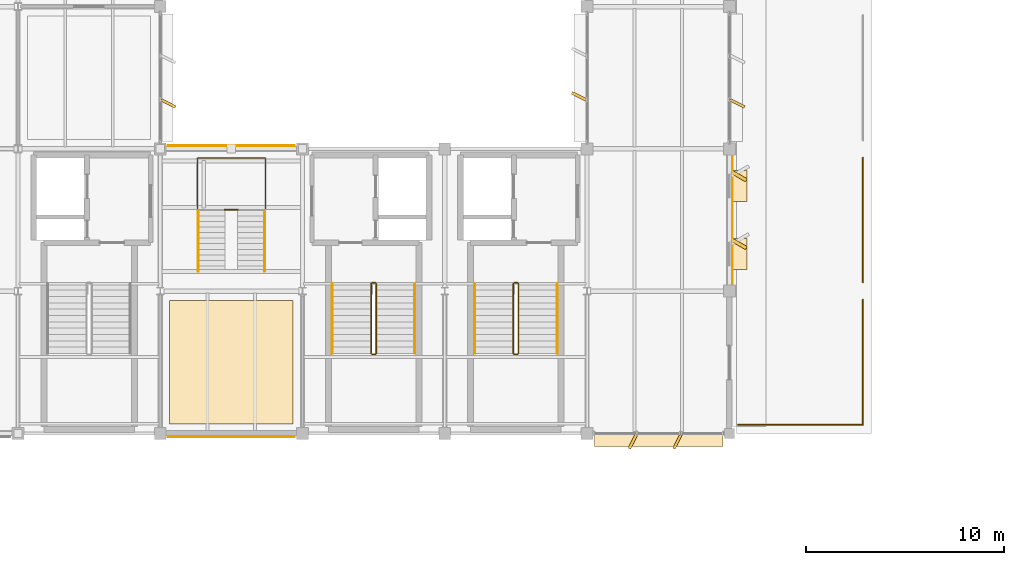
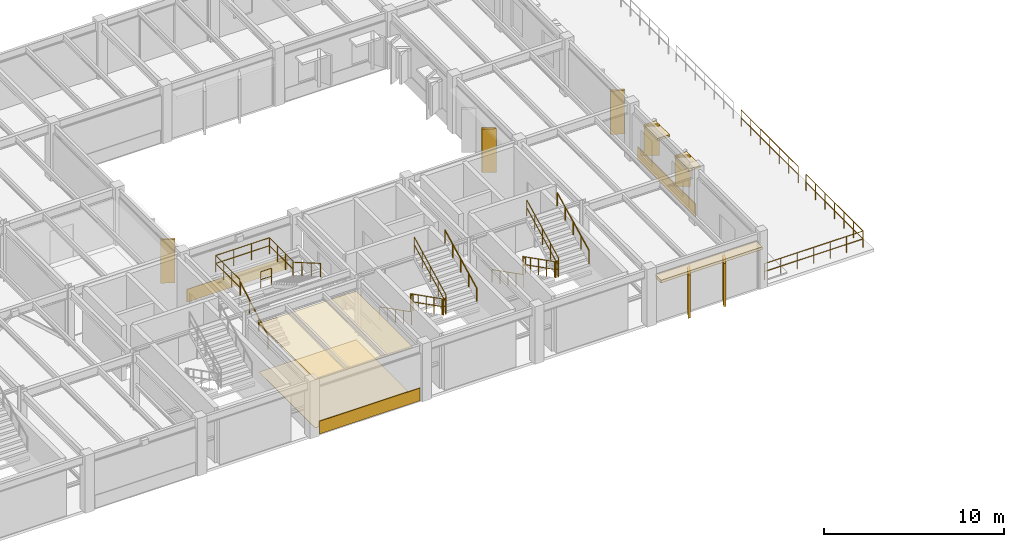
# One storey, part 33 of 35: 19 railings, 15 coverings.
"""IFC4 building model written with IfcOpenShell, lengths in metres."""

from ifc_helpers import new_model, si_unit, direction, frame, frame_2d, origin, origin_2d, place, context, subcontext, project, spatial, polyline, rectangle, circle, outline, extrude, material, layer, layer_set, type_object, element, save


model = new_model("IFC4")

# Units and contexts
model_context = context("Model", 3, precision=1e-05, world=origin(), true_north=direction((0.0, 1.0)))
body_context = subcontext(model_context, "Body", "Model", "MODEL_VIEW")
ifc_project = project(units=[si_unit("LENGTHUNIT", "METRE"), si_unit("AREAUNIT", "SQUARE_METRE"), si_unit("VOLUMEUNIT", "CUBIC_METRE"), si_unit("PLANEANGLEUNIT", "RADIAN"), si_unit("MASSUNIT", "GRAM", prefix="KILO")], contexts=[model_context])

# Site, building, storey
site_placement = place(None, origin())
site = spatial("IfcSite", under=ifc_project, at=site_placement, CompositionType="ELEMENT")
building_placement = place(site_placement, origin())
building = spatial("IfcBuilding", under=site, at=building_placement, Name="Sillqori Civic Hall", CompositionType="ELEMENT")
storey_placement = place(building_placement, frame((0.0, 0.0, 18.0)))
storey = spatial("IfcBuildingStorey", under=building, at=storey_placement, Name="L05", CompositionType="ELEMENT", Elevation=18.0)

# Coverings
ifc_material_1 = material(Name="Andean Cedar Deep Baffle 58", Category="timber")
ifc_layer_1 = layer(ifc_material_1, 0.05810546875)
ifc_layer_set_1 = layer_set([ifc_layer_1], Name="Andean Cedar Deep Baffle 58")
covering_type_1 = type_object("IfcCoveringType", Name="COV-CEIL-T58", PredefinedType="CEILING", material=ifc_layer_set_1)
covering_1_placement = place(storey_placement, frame((0.0, 0.0, 3.26806640625)))
element("IfcCovering", 1, at=covering_1_placement, inside=storey, type_object=covering_type_1, Name="Culture and Heritage Programme Directorate acoustic ceiling", PredefinedType="CEILING", context=body_context, shape_type="SweptSolid", body=[
    extrude(outline(polyline([(72.47998046875, 79.679931640625), (78.719970703125, 79.679931640625), (78.719970703125, 85.919921875), (72.47998046875, 85.919921875), (72.47998046875, 79.679931640625)])), origin(), (0.0, 0.0, 1.0), 0.057861328125),
])
ifc_material_2 = material(Name="Cochabamba Honed Limestone Cladding", Category="masonry")
ifc_layer_2 = layer(ifc_material_2, 0.044921875)
ifc_layer_set_2 = layer_set([ifc_layer_2], Name="Cochabamba Honed Limestone Cladding")
covering_type_2 = type_object("IfcCoveringType", Name="COV-CLAD-LIME", PredefinedType="CLADDING", material=ifc_layer_set_2)
covering_2_placement = place(storey_placement, frame((72.050048828125, 96.077880859375, 0.06005859375), z_axis=(0.0, 0.0, 1.0), x_axis=(0.894487846579, -0.44709226377, 0.0)))
element("IfcCovering", 2, at=covering_2_placement, inside=storey, type_object=covering_type_2, Name="L05 curtain-wall angled stone fin L05-09-13-E.2", PredefinedType="CLADDING", context=body_context, shape_type="SweptSolid", body=[
    extrude(rectangle(XDim=0.804931640625, YDim=0.139892578125, at=frame_2d((0.40234375, 0.0))), origin(), (0.0, 0.0, 1.0), 2.951904296875),
])
for number, where, z_axis, x_axis, name in (
    (3, (78.820068359375, 79.0400390625, 0.0400390625), (0.0, 0.0, 1.0), (-1.0, 0.0, 0.0), "L05 limestone spandrel cladding L05-10-11-S"),
    (4, (72.3798828125, 93.760009765625, 0.0400390625), (0.0, 0.0, 1.0), (1.0, 0.0, 0.0), "L05 limestone spandrel cladding L05-10-12-N"),
):
    element("IfcCovering", number, at=place(storey_placement, frame(where, z_axis=z_axis, x_axis=x_axis)), inside=storey, type_object=covering_type_2, Name=name, PredefinedType="CLADDING", context=body_context, shape_type="SweptSolid", body=[
        extrude(rectangle(XDim=6.440185546875, YDim=0.044921875, at=frame_2d((3.22021484375, 0.0))), origin(), (0.0, 0.0, 1.0), 0.85986328125),
    ])
covering_3_placement = place(storey_placement, frame((100.469970703125, 78.8798828125, 2.991943359375), z_axis=(0.0, 0.0, 1.0), x_axis=(-1.0, 0.0, 0.0)))
element("IfcCovering", 5, at=covering_3_placement, inside=storey, type_object=covering_type_2, Name="L05 curtain-wall limestone solar hood L05-13-11-S", PredefinedType="CLADDING", context=body_context, shape_type="SweptSolid", body=[
    extrude(rectangle(XDim=6.489990234375, YDim=0.679931640625, at=frame_2d((3.2451171875, 0.0))), origin(), (0.0, 0.0, 1.0), 0.18017578125),
])
for number, where, z_axis, x_axis, name in (
    (6, (98.35546875, 79.14990234375, 0.06005859375), (0.0, 0.0, 1.0), (-0.44709226377, -0.894487846579, 0.0), "L05 curtain-wall angled stone fin L05-13-11-S.1"),
    (7, (96.094482421875, 79.14990234375, 0.06005859375), (0.0, 0.0, 1.0), (-0.44709226377, -0.894487846579, 0.0), "L05 curtain-wall angled stone fin L05-13-11-S.2"),
):
    element("IfcCovering", number, at=place(storey_placement, frame(where, z_axis=z_axis, x_axis=x_axis)), inside=storey, type_object=covering_type_2, Name=name, PredefinedType="CLADDING", context=body_context, shape_type="SweptSolid", body=[
        extrude(rectangle(XDim=0.804931640625, YDim=0.139892578125, at=frame_2d((0.40234375, 0.0))), origin(), (0.0, 0.0, 1.0), 2.931884765625),
    ])
covering_4_placement = place(storey_placement, frame((100.9599609375, 93.219970703125, 0.0400390625), z_axis=(0.0, 0.0, 1.0), x_axis=(0.0, -1.0, 0.0)))
element("IfcCovering", 8, at=covering_4_placement, inside=storey, type_object=covering_type_2, Name="L05 limestone spandrel cladding L05-13-12-E", PredefinedType="CLADDING", context=body_context, shape_type="SweptSolid", body=[
    extrude(rectangle(XDim=6.43994140625, YDim=0.044921875, at=frame_2d((3.219970703125, 0.0))), origin(), (0.0, 0.0, 1.0), 0.85986328125),
])
covering_5_placement = place(storey_placement, frame((100.919921875, 92.43603515625, 0.830078125), z_axis=(0.0, 0.0, 1.0), x_axis=(0.865989465428, -0.500062241894, 0.0)))
element("IfcCovering", 9, at=covering_5_placement, inside=storey, type_object=covering_type_2, Name="Sawtooth limestone angled reveal cheek L05-13-12-E.1", PredefinedType="CLADDING", context=body_context, shape_type="SweptSolid", body=[
    extrude(rectangle(XDim=0.85009765625, YDim=0.179931640625, at=frame_2d((0.425048828125, 0.0))), origin(), (0.0, 0.0, 1.0), 2.0),
])
covering_6_placement = place(storey_placement, frame((101.300048828125, 92.49609375, 2.68994140625), z_axis=(0.0, 0.0, 1.0), x_axis=(0.0, -1.0, 0.0)))
element("IfcCovering", 10, at=covering_6_placement, inside=storey, type_object=covering_type_2, Name="Sawtooth limestone window hood L05-13-12-E.1", PredefinedType="CLADDING", context=body_context, shape_type="SweptSolid", body=[
    extrude(rectangle(XDim=1.56005859375, YDim=0.780029296875, at=frame_2d((0.780029296875, 0.0))), origin(), (0.0, 0.0, 1.0), 0.14013671875),
])
covering_7_placement = place(storey_placement, frame((100.919921875, 89.00390625, 0.830078125), z_axis=(0.0, 0.0, 1.0), x_axis=(0.866113839764, -0.499846793097, 0.0)))
element("IfcCovering", 11, at=covering_7_placement, inside=storey, type_object=covering_type_2, Name="Sawtooth limestone angled reveal cheek L05-13-12-E.2", PredefinedType="CLADDING", context=body_context, shape_type="SweptSolid", body=[
    extrude(rectangle(XDim=0.849853515625, YDim=0.179931640625, at=frame_2d((0.4248046875, 0.0))), origin(), (0.0, 0.0, 1.0), 2.0),
])
covering_8_placement = place(storey_placement, frame((101.300048828125, 89.06396484375, 2.68994140625), z_axis=(0.0, 0.0, 1.0), x_axis=(0.0, -1.0, 0.0)))
element("IfcCovering", 12, at=covering_8_placement, inside=storey, type_object=covering_type_2, Name="Sawtooth limestone window hood L05-13-12-E.2", PredefinedType="CLADDING", context=body_context, shape_type="SweptSolid", body=[
    extrude(rectangle(XDim=1.56005859375, YDim=0.780029296875, at=frame_2d((0.780029296875, 0.0))), origin(), (0.0, 0.0, 1.0), 0.14013671875),
])
for number, where, z_axis, x_axis, name in (
    (13, (93.550048828125, 96.077880859375, 0.06005859375), (0.0, 0.0, 1.0), (-0.894366527193, 0.447334902547, 0.0), "L05 curtain-wall angled stone fin L05-13-13-W.1"),
    (14, (100.85009765625, 96.077880859375, 0.06005859375), (0.0, 0.0, 1.0), (0.894487846579, -0.44709226377, 0.0), "L05 curtain-wall angled stone fin L05-13-13-E.2"),
):
    element("IfcCovering", number, at=place(storey_placement, frame(where, z_axis=z_axis, x_axis=x_axis)), inside=storey, type_object=covering_type_2, Name=name, PredefinedType="CLADDING", context=body_context, shape_type="SweptSolid", body=[
        extrude(rectangle(XDim=0.804931640625, YDim=0.139892578125, at=frame_2d((0.40234375, 0.0))), origin(), (0.0, 0.0, 1.0), 2.951904296875),
    ])
ifc_material_3 = material(Name="Tajibo Parquet Strip Flooring 22", Category="timber")
ifc_layer_3 = layer(ifc_material_3, 0.02197265625)
ifc_layer_set_3 = layer_set([ifc_layer_3], Name="Tajibo Parquet Strip Flooring 22")
covering_type_3 = type_object("IfcCoveringType", Name="COV-FLR-T22", PredefinedType="FLOORING", material=ifc_layer_set_3)
covering_9_placement = place(storey_placement, origin())
element("IfcCovering", 15, at=covering_9_placement, inside=storey, type_object=covering_type_3, Name="Culture and Heritage Programme Directorate floor finish", PredefinedType="FLOORING", context=body_context, shape_type="SweptSolid", body=[
    extrude(outline(polyline([(72.47998046875, 79.679931640625), (78.719970703125, 79.679931640625), (78.719970703125, 85.919921875), (72.47998046875, 85.919921875), (72.47998046875, 79.679931640625)])), origin(), (0.0, 0.0, 1.0), 0.02197265625),
])

# Railings
ifc_material_4 = material(Name="Brushed Stainless Steel 316 Handrail", Category="steel")
ifc_layer_4 = layer(ifc_material_4, 0.044921875)
ifc_layer_set_4 = layer_set([ifc_layer_4], Name="Brushed Stainless Steel 316 Handrail")
railing_type_1 = type_object("IfcRailingType", Name="RLG-CORE-092", PredefinedType="HANDRAIL", material=ifc_layer_set_4)
railing_1_placement = place(storey_placement, frame((80.7099609375, 86.77001953125, 0.16259765625)))
element("IfcRailing", 16, at=railing_1_placement, inside=storey, type_object=railing_type_1, Name="L05 ST-07 stair handrail 1", PredefinedType="HANDRAIL", context=body_context, shape_type="SweptSolid", body=[
    extrude(circle(Radius=0.02392578125, at=origin_2d()), frame((0.0, 0.0, 0.8759765625), z_axis=(0.0, -0.891639500788, 0.452746066394), x_axis=(1.0, 0.0, 0.0)), (0.0, 0.0, 1.0), 3.94775390625),
    extrude(circle(Radius=0.02099609375, at=origin_2d()), origin(), (0.0, 0.0, 1.0), 0.851806640625),
    extrude(circle(Radius=0.02099609375, at=origin_2d()), frame((0.0, -0.8798828125, 0.44677734375)), (0.0, 0.0, 1.0), 0.851806640625),
    extrude(circle(Radius=0.02099609375, at=origin_2d()), frame((0.0, -1.760009765625, 0.8935546875)), (0.0, 0.0, 1.0), 0.851806640625),
    extrude(circle(Radius=0.02099609375, at=origin_2d()), frame((0.0, -2.64013671875, 1.340576171875)), (0.0, 0.0, 1.0), 0.851806640625),
    extrude(circle(Radius=0.02099609375, at=origin_2d()), frame((0.0, -3.52001953125, 1.787353515625)), (0.0, 0.0, 1.0), 0.851806640625),
])
railing_2_placement = place(storey_placement, frame((84.889892578125, 83.25, 2.112548828125)))
element("IfcRailing", 17, at=railing_2_placement, inside=storey, type_object=railing_type_1, Name="L05 ST-07 stair handrail 2", PredefinedType="HANDRAIL", context=body_context, shape_type="SweptSolid", body=[
    extrude(circle(Radius=0.02392578125, at=origin_2d()), frame((0.0, 0.0, 0.8759765625), z_axis=(0.0, 0.891639500788, 0.452746066394), x_axis=(-1.0, 0.0, 0.0)), (0.0, 0.0, 1.0), 3.94775390625),
    extrude(circle(Radius=0.02099609375, at=origin_2d()), origin(), (0.0, 0.0, 1.0), 0.851806640625),
    extrude(circle(Radius=0.02099609375, at=origin_2d()), frame((0.0, 0.8798828125, 0.44677734375)), (0.0, 0.0, 1.0), 0.851806640625),
    extrude(circle(Radius=0.02099609375, at=origin_2d()), frame((0.0, 1.760009765625, 0.8935546875)), (0.0, 0.0, 1.0), 0.851806640625),
    extrude(circle(Radius=0.02099609375, at=origin_2d()), frame((0.0, 2.64013671875, 1.340576171875)), (0.0, 0.0, 1.0), 0.851806640625),
    extrude(circle(Radius=0.02099609375, at=origin_2d()), frame((0.0, 3.52001953125, 1.787353515625)), (0.0, 0.0, 1.0), 0.851806640625),
])
railing_3_placement = place(storey_placement, frame((87.909912109375, 86.77001953125, 0.16259765625)))
element("IfcRailing", 18, at=railing_3_placement, inside=storey, type_object=railing_type_1, Name="L05 ST-08 stair handrail 1", PredefinedType="HANDRAIL", context=body_context, shape_type="SweptSolid", body=[
    extrude(circle(Radius=0.02392578125, at=origin_2d()), frame((0.0, 0.0, 0.8759765625), z_axis=(0.0, -0.891639500788, 0.452746066394), x_axis=(1.0, 0.0, 0.0)), (0.0, 0.0, 1.0), 3.94775390625),
    extrude(circle(Radius=0.02099609375, at=origin_2d()), origin(), (0.0, 0.0, 1.0), 0.851806640625),
    extrude(circle(Radius=0.02099609375, at=origin_2d()), frame((0.0, -0.8798828125, 0.44677734375)), (0.0, 0.0, 1.0), 0.851806640625),
    extrude(circle(Radius=0.02099609375, at=origin_2d()), frame((0.0, -1.760009765625, 0.8935546875)), (0.0, 0.0, 1.0), 0.851806640625),
    extrude(circle(Radius=0.02099609375, at=origin_2d()), frame((0.0, -2.64013671875, 1.340576171875)), (0.0, 0.0, 1.0), 0.851806640625),
    extrude(circle(Radius=0.02099609375, at=origin_2d()), frame((0.0, -3.52001953125, 1.787353515625)), (0.0, 0.0, 1.0), 0.851806640625),
])
railing_4_placement = place(storey_placement, frame((92.090087890625, 83.25, 2.112548828125)))
element("IfcRailing", 19, at=railing_4_placement, inside=storey, type_object=railing_type_1, Name="L05 ST-08 stair handrail 2", PredefinedType="HANDRAIL", context=body_context, shape_type="SweptSolid", body=[
    extrude(circle(Radius=0.02392578125, at=origin_2d()), frame((0.0, 0.0, 0.8759765625), z_axis=(0.0, 0.891639500788, 0.452746066394), x_axis=(-1.0, 0.0, 0.0)), (0.0, 0.0, 1.0), 3.94775390625),
    extrude(circle(Radius=0.02099609375, at=origin_2d()), origin(), (0.0, 0.0, 1.0), 0.851806640625),
    extrude(circle(Radius=0.02099609375, at=origin_2d()), frame((0.0, 0.8798828125, 0.44677734375)), (0.0, 0.0, 1.0), 0.851806640625),
    extrude(circle(Radius=0.02099609375, at=origin_2d()), frame((0.0, 1.760009765625, 0.8935546875)), (0.0, 0.0, 1.0), 0.851806640625),
    extrude(circle(Radius=0.02099609375, at=origin_2d()), frame((0.0, 2.64013671875, 1.340576171875)), (0.0, 0.0, 1.0), 0.851806640625),
    extrude(circle(Radius=0.02099609375, at=origin_2d()), frame((0.0, 3.52001953125, 1.787353515625)), (0.0, 0.0, 1.0), 0.851806640625),
])
railing_5_placement = place(storey_placement, frame((73.919921875, 87.39990234375, 0.16259765625)))
element("IfcRailing", 20, at=railing_5_placement, inside=storey, type_object=railing_type_1, Name="Mayoral Courtyard Stair L05-L06 handrail W", PredefinedType="HANDRAIL", context=body_context, shape_type="SweptSolid", body=[
    extrude(circle(Radius=0.02392578125, at=origin_2d()), frame((0.0, 0.0, 0.89599609375), z_axis=(0.0, 0.864920483161, 0.501908913857), x_axis=(-1.0, 0.0, 0.0)), (0.0, 0.0, 1.0), 3.56103515625),
    extrude(circle(Radius=0.02099609375, at=origin_2d()), origin(), (0.0, 0.0, 1.0), 0.871826171875),
    extrude(circle(Radius=0.02099609375, at=origin_2d()), frame((0.0, 1.026611328125, 0.595703125)), (0.0, 0.0, 1.0), 0.871826171875),
    extrude(circle(Radius=0.02099609375, at=origin_2d()), frame((0.0, 2.053466796875, 1.191650390625)), (0.0, 0.0, 1.0), 0.871826171875),
    extrude(circle(Radius=0.02099609375, at=origin_2d()), frame((0.0, 3.080078125, 1.787353515625)), (0.0, 0.0, 1.0), 0.871826171875),
])
railing_6_placement = place(storey_placement, frame((77.280029296875, 90.47998046875, 2.112548828125)))
element("IfcRailing", 21, at=railing_6_placement, inside=storey, type_object=railing_type_1, Name="Mayoral Courtyard Stair L05-L06 handrail E", PredefinedType="HANDRAIL", context=body_context, shape_type="SweptSolid", body=[
    extrude(circle(Radius=0.02392578125, at=origin_2d()), frame((0.0, 0.0, 0.89599609375), z_axis=(0.0, -0.864920483161, 0.501908913857), x_axis=(1.0, 0.0, 0.0)), (0.0, 0.0, 1.0), 3.56103515625),
    extrude(circle(Radius=0.02099609375, at=origin_2d()), origin(), (0.0, 0.0, 1.0), 0.871826171875),
    extrude(circle(Radius=0.02099609375, at=origin_2d()), frame((0.0, -1.026611328125, 0.595703125)), (0.0, 0.0, 1.0), 0.871826171875),
    extrude(circle(Radius=0.02099609375, at=origin_2d()), frame((0.0, -2.053466796875, 1.191650390625)), (0.0, 0.0, 1.0), 0.871826171875),
    extrude(circle(Radius=0.02099609375, at=origin_2d()), frame((0.0, -3.080078125, 1.787353515625)), (0.0, 0.0, 1.0), 0.871826171875),
])
ifc_material_5 = material(Name="Galvanized Painted Steel Guardrail", Category="steel")
ifc_layer_5 = layer(ifc_material_5, 0.050048828125)
ifc_layer_set_5 = layer_set([ifc_layer_5], Name="Galvanized Painted Steel Guardrail")
railing_type_2 = type_object("IfcRailingType", Name="RLG-CORE-110", PredefinedType="GUARDRAIL", material=ifc_layer_set_5)
railing_7_placement = place(storey_placement, frame((82.669921875, 86.77001953125, 0.16259765625)))
element("IfcRailing", 22, at=railing_7_placement, inside=storey, type_object=railing_type_2, Name="L05 ST-07 stair guard 1", PredefinedType="GUARDRAIL", context=body_context, shape_type="SweptSolid", body=[
    extrude(circle(Radius=0.02392578125, at=origin_2d()), frame((0.0, 0.0, 1.076171875), z_axis=(0.0, -0.891639500788, 0.452746066394), x_axis=(1.0, 0.0, 0.0)), (0.0, 0.0, 1.0), 3.94775390625),
    extrude(circle(Radius=0.02392578125, at=origin_2d()), frame((0.0, 0.0, 0.550048828125), z_axis=(0.0, -0.891639500788, 0.452746066394), x_axis=(1.0, 0.0, 0.0)), (0.0, 0.0, 1.0), 3.94775390625),
    extrude(circle(Radius=0.02099609375, at=origin_2d()), origin(), (0.0, 0.0, 1.0), 1.052001953125),
    extrude(circle(Radius=0.02099609375, at=origin_2d()), frame((0.0, -0.8798828125, 0.44677734375)), (0.0, 0.0, 1.0), 1.052001953125),
    extrude(circle(Radius=0.02099609375, at=origin_2d()), frame((0.0, -1.760009765625, 0.8935546875)), (0.0, 0.0, 1.0), 1.052001953125),
    extrude(circle(Radius=0.02099609375, at=origin_2d()), frame((0.0, -2.64013671875, 1.340576171875)), (0.0, 0.0, 1.0), 1.052001953125),
    extrude(circle(Radius=0.02099609375, at=origin_2d()), frame((0.0, -3.52001953125, 1.787353515625)), (0.0, 0.0, 1.0), 1.052001953125),
])
railing_8_placement = place(storey_placement, frame((82.719970703125, 83.199951171875, 1.949951171875)))
element("IfcRailing", 23, at=railing_8_placement, inside=storey, type_object=railing_type_2, Name="L05 ST-07 stair guard 2", PredefinedType="GUARDRAIL", context=body_context, shape_type="SweptSolid", body=[
    extrude(circle(Radius=0.02392578125, at=origin_2d()), frame((0.0, 0.0, 1.076171875), z_axis=(1.0, 0.0, 0.0), x_axis=(0.0, 1.0, 0.0)), (0.0, 0.0, 1.0), 0.159912109375),
    extrude(circle(Radius=0.02392578125, at=origin_2d()), frame((0.0, 0.0, 0.550048828125), z_axis=(1.0, 0.0, 0.0), x_axis=(0.0, 1.0, 0.0)), (0.0, 0.0, 1.0), 0.159912109375),
    extrude(circle(Radius=0.02099609375, at=origin_2d()), origin(), (0.0, 0.0, 1.0), 1.052001953125),
    extrude(circle(Radius=0.02099609375, at=origin_2d()), frame((0.159912109375, 0.0, 0.0)), (0.0, 0.0, 1.0), 1.052001953125),
])
railing_9_placement = place(storey_placement, frame((82.929931640625, 83.25, 2.112548828125)))
element("IfcRailing", 24, at=railing_9_placement, inside=storey, type_object=railing_type_2, Name="L05 ST-07 stair guard 3", PredefinedType="GUARDRAIL", context=body_context, shape_type="SweptSolid", body=[
    extrude(circle(Radius=0.02392578125, at=origin_2d()), frame((0.0, 0.0, 1.076171875), z_axis=(0.0, 0.891639500788, 0.452746066394), x_axis=(-1.0, 0.0, 0.0)), (0.0, 0.0, 1.0), 3.94775390625),
    extrude(circle(Radius=0.02392578125, at=origin_2d()), frame((0.0, 0.0, 0.550048828125), z_axis=(0.0, 0.891639500788, 0.452746066394), x_axis=(-1.0, 0.0, 0.0)), (0.0, 0.0, 1.0), 3.94775390625),
    extrude(circle(Radius=0.02099609375, at=origin_2d()), origin(), (0.0, 0.0, 1.0), 1.052001953125),
    extrude(circle(Radius=0.02099609375, at=origin_2d()), frame((0.0, 0.8798828125, 0.44677734375)), (0.0, 0.0, 1.0), 1.052001953125),
    extrude(circle(Radius=0.02099609375, at=origin_2d()), frame((0.0, 1.760009765625, 0.8935546875)), (0.0, 0.0, 1.0), 1.052001953125),
    extrude(circle(Radius=0.02099609375, at=origin_2d()), frame((0.0, 2.64013671875, 1.340576171875)), (0.0, 0.0, 1.0), 1.052001953125),
    extrude(circle(Radius=0.02099609375, at=origin_2d()), frame((0.0, 3.52001953125, 1.787353515625)), (0.0, 0.0, 1.0), 1.052001953125),
])
railing_10_placement = place(storey_placement, frame((82.719970703125, 86.820068359375, 0.0)))
element("IfcRailing", 25, at=railing_10_placement, inside=storey, type_object=railing_type_2, Name="L05 ST-07 stair guard 4", PredefinedType="GUARDRAIL", context=body_context, shape_type="SweptSolid", body=[
    extrude(circle(Radius=0.02392578125, at=origin_2d()), frame((0.0, 0.0, 1.076171875), z_axis=(1.0, 0.0, 0.0), x_axis=(0.0, 1.0, 0.0)), (0.0, 0.0, 1.0), 0.159912109375),
    extrude(circle(Radius=0.02392578125, at=origin_2d()), frame((0.0, 0.0, 0.550048828125), z_axis=(1.0, 0.0, 0.0), x_axis=(0.0, 1.0, 0.0)), (0.0, 0.0, 1.0), 0.159912109375),
    extrude(circle(Radius=0.02099609375, at=origin_2d()), origin(), (0.0, 0.0, 1.0), 1.052001953125),
    extrude(circle(Radius=0.02099609375, at=origin_2d()), frame((0.159912109375, 0.0, 0.0)), (0.0, 0.0, 1.0), 1.052001953125),
])
railing_11_placement = place(storey_placement, frame((89.8701171875, 86.77001953125, 0.16259765625)))
element("IfcRailing", 26, at=railing_11_placement, inside=storey, type_object=railing_type_2, Name="L05 ST-08 stair guard 1", PredefinedType="GUARDRAIL", context=body_context, shape_type="SweptSolid", body=[
    extrude(circle(Radius=0.02392578125, at=origin_2d()), frame((0.0, 0.0, 1.076171875), z_axis=(0.0, -0.891639500788, 0.452746066394), x_axis=(1.0, 0.0, 0.0)), (0.0, 0.0, 1.0), 3.94775390625),
    extrude(circle(Radius=0.02392578125, at=origin_2d()), frame((0.0, 0.0, 0.550048828125), z_axis=(0.0, -0.891639500788, 0.452746066394), x_axis=(1.0, 0.0, 0.0)), (0.0, 0.0, 1.0), 3.94775390625),
    extrude(circle(Radius=0.02099609375, at=origin_2d()), origin(), (0.0, 0.0, 1.0), 1.052001953125),
    extrude(circle(Radius=0.02099609375, at=origin_2d()), frame((0.0, -0.8798828125, 0.44677734375)), (0.0, 0.0, 1.0), 1.052001953125),
    extrude(circle(Radius=0.02099609375, at=origin_2d()), frame((0.0, -1.760009765625, 0.8935546875)), (0.0, 0.0, 1.0), 1.052001953125),
    extrude(circle(Radius=0.02099609375, at=origin_2d()), frame((0.0, -2.64013671875, 1.340576171875)), (0.0, 0.0, 1.0), 1.052001953125),
    extrude(circle(Radius=0.02099609375, at=origin_2d()), frame((0.0, -3.52001953125, 1.787353515625)), (0.0, 0.0, 1.0), 1.052001953125),
])
railing_12_placement = place(storey_placement, frame((89.919921875, 83.199951171875, 1.949951171875)))
element("IfcRailing", 27, at=railing_12_placement, inside=storey, type_object=railing_type_2, Name="L05 ST-08 stair guard 2", PredefinedType="GUARDRAIL", context=body_context, shape_type="SweptSolid", body=[
    extrude(circle(Radius=0.02392578125, at=origin_2d()), frame((0.0, 0.0, 1.076171875), z_axis=(1.0, 0.0, 0.0), x_axis=(0.0, 1.0, 0.0)), (0.0, 0.0, 1.0), 0.16015625),
    extrude(circle(Radius=0.02392578125, at=origin_2d()), frame((0.0, 0.0, 0.550048828125), z_axis=(1.0, 0.0, 0.0), x_axis=(0.0, 1.0, 0.0)), (0.0, 0.0, 1.0), 0.16015625),
    extrude(circle(Radius=0.02099609375, at=origin_2d()), origin(), (0.0, 0.0, 1.0), 1.052001953125),
    extrude(circle(Radius=0.02099609375, at=origin_2d()), frame((0.16015625, 0.0, 0.0)), (0.0, 0.0, 1.0), 1.052001953125),
])
railing_13_placement = place(storey_placement, frame((90.1298828125, 83.25, 2.112548828125)))
element("IfcRailing", 28, at=railing_13_placement, inside=storey, type_object=railing_type_2, Name="L05 ST-08 stair guard 3", PredefinedType="GUARDRAIL", context=body_context, shape_type="SweptSolid", body=[
    extrude(circle(Radius=0.02392578125, at=origin_2d()), frame((0.0, 0.0, 1.076171875), z_axis=(0.0, 0.891639500788, 0.452746066394), x_axis=(-1.0, 0.0, 0.0)), (0.0, 0.0, 1.0), 3.94775390625),
    extrude(circle(Radius=0.02392578125, at=origin_2d()), frame((0.0, 0.0, 0.550048828125), z_axis=(0.0, 0.891639500788, 0.452746066394), x_axis=(-1.0, 0.0, 0.0)), (0.0, 0.0, 1.0), 3.94775390625),
    extrude(circle(Radius=0.02099609375, at=origin_2d()), origin(), (0.0, 0.0, 1.0), 1.052001953125),
    extrude(circle(Radius=0.02099609375, at=origin_2d()), frame((0.0, 0.8798828125, 0.44677734375)), (0.0, 0.0, 1.0), 1.052001953125),
    extrude(circle(Radius=0.02099609375, at=origin_2d()), frame((0.0, 1.760009765625, 0.8935546875)), (0.0, 0.0, 1.0), 1.052001953125),
    extrude(circle(Radius=0.02099609375, at=origin_2d()), frame((0.0, 2.64013671875, 1.340576171875)), (0.0, 0.0, 1.0), 1.052001953125),
    extrude(circle(Radius=0.02099609375, at=origin_2d()), frame((0.0, 3.52001953125, 1.787353515625)), (0.0, 0.0, 1.0), 1.052001953125),
])
railing_14_placement = place(storey_placement, frame((89.919921875, 86.820068359375, 0.0)))
element("IfcRailing", 29, at=railing_14_placement, inside=storey, type_object=railing_type_2, Name="L05 ST-08 stair guard 4", PredefinedType="GUARDRAIL", context=body_context, shape_type="SweptSolid", body=[
    extrude(circle(Radius=0.02392578125, at=origin_2d()), frame((0.0, 0.0, 1.076171875), z_axis=(1.0, 0.0, 0.0), x_axis=(0.0, 1.0, 0.0)), (0.0, 0.0, 1.0), 0.16015625),
    extrude(circle(Radius=0.02392578125, at=origin_2d()), frame((0.0, 0.0, 0.550048828125), z_axis=(1.0, 0.0, 0.0), x_axis=(0.0, 1.0, 0.0)), (0.0, 0.0, 1.0), 0.16015625),
    extrude(circle(Radius=0.02099609375, at=origin_2d()), origin(), (0.0, 0.0, 1.0), 1.052001953125),
    extrude(circle(Radius=0.02099609375, at=origin_2d()), frame((0.16015625, 0.0, 0.0)), (0.0, 0.0, 1.0), 1.052001953125),
])
ifc_material_6 = material(Name="Stainless Steel 316 and Laminated Balustrade", Category="steel")
ifc_layer_6 = layer(ifc_material_6, 0.06005859375)
ifc_layer_set_6 = layer_set([ifc_layer_6], Name="Stainless Steel 316 and Laminated Balustrade")
railing_type_3 = type_object("IfcRailingType", Name="RLG-TERR-112", PredefinedType="GUARDRAIL", material=ifc_layer_set_6)
railing_15_placement = place(storey_placement, frame((101.239990234375, 79.639892578125, 0.0)))
element("IfcRailing", 30, at=railing_15_placement, inside=storey, type_object=railing_type_3, Name="Finance East Roof Garden perimeter guard S-01", PredefinedType="GUARDRAIL", context=body_context, shape_type="SweptSolid", body=[
    extrude(circle(Radius=0.02392578125, at=origin_2d()), frame((0.0, 0.0, 1.09619140625), z_axis=(1.0, 0.0, 0.0), x_axis=(0.0, 1.0, 0.0)), (0.0, 0.0, 1.0), 6.320068359375),
    extrude(circle(Radius=0.02392578125, at=origin_2d()), frame((0.0, 0.0, 0.56005859375), z_axis=(1.0, 0.0, 0.0), x_axis=(0.0, 1.0, 0.0)), (0.0, 0.0, 1.0), 6.320068359375),
    extrude(circle(Radius=0.02099609375, at=origin_2d()), origin(), (0.0, 0.0, 1.0), 1.072021484375),
    extrude(circle(Radius=0.02099609375, at=origin_2d()), frame((1.05322265625, 0.0, 0.0)), (0.0, 0.0, 1.0), 1.072021484375),
    extrude(circle(Radius=0.02099609375, at=origin_2d()), frame((2.106689453125, 0.0, 0.0)), (0.0, 0.0, 1.0), 1.072021484375),
    extrude(circle(Radius=0.02099609375, at=origin_2d()), frame((3.16015625, 0.0, 0.0)), (0.0, 0.0, 1.0), 1.072021484375),
    extrude(circle(Radius=0.02099609375, at=origin_2d()), frame((4.21337890625, 0.0, 0.0)), (0.0, 0.0, 1.0), 1.072021484375),
    extrude(circle(Radius=0.02099609375, at=origin_2d()), frame((5.2666015625, 0.0, 0.0)), (0.0, 0.0, 1.0), 1.072021484375),
    extrude(circle(Radius=0.02099609375, at=origin_2d()), frame((6.320068359375, 0.0, 0.0)), (0.0, 0.0, 1.0), 1.072021484375),
])
railing_16_placement = place(storey_placement, frame((107.56005859375, 79.639892578125, 0.0)))
element("IfcRailing", 31, at=railing_16_placement, inside=storey, type_object=railing_type_3, Name="Finance East Roof Garden perimeter guard E-03", PredefinedType="GUARDRAIL", context=body_context, shape_type="SweptSolid", body=[
    extrude(circle(Radius=0.02392578125, at=origin_2d()), frame((0.0, 0.0, 1.09619140625), z_axis=(0.0, 1.0, 0.0), x_axis=(-1.0, 0.0, 0.0)), (0.0, 0.0, 1.0), 6.320068359375),
    extrude(circle(Radius=0.02392578125, at=origin_2d()), frame((0.0, 0.0, 0.56005859375), z_axis=(0.0, 1.0, 0.0), x_axis=(-1.0, 0.0, 0.0)), (0.0, 0.0, 1.0), 6.320068359375),
    extrude(circle(Radius=0.02099609375, at=origin_2d()), origin(), (0.0, 0.0, 1.0), 1.072021484375),
    extrude(circle(Radius=0.02099609375, at=origin_2d()), frame((0.0, 1.05322265625, 0.0)), (0.0, 0.0, 1.0), 1.072021484375),
    extrude(circle(Radius=0.02099609375, at=origin_2d()), frame((0.0, 2.106689453125, 0.0)), (0.0, 0.0, 1.0), 1.072021484375),
    extrude(circle(Radius=0.02099609375, at=origin_2d()), frame((0.0, 3.16015625, 0.0)), (0.0, 0.0, 1.0), 1.072021484375),
    extrude(circle(Radius=0.02099609375, at=origin_2d()), frame((0.0, 4.21337890625, 0.0)), (0.0, 0.0, 1.0), 1.072021484375),
    extrude(circle(Radius=0.02099609375, at=origin_2d()), frame((0.0, 5.2666015625, 0.0)), (0.0, 0.0, 1.0), 1.072021484375),
    extrude(circle(Radius=0.02099609375, at=origin_2d()), frame((0.0, 6.320068359375, 0.0)), (0.0, 0.0, 1.0), 1.072021484375),
])
railing_17_placement = place(storey_placement, frame((107.56005859375, 86.840087890625, 0.0)))
element("IfcRailing", 32, at=railing_17_placement, inside=storey, type_object=railing_type_3, Name="Finance East Roof Garden perimeter guard E-04", PredefinedType="GUARDRAIL", context=body_context, shape_type="SweptSolid", body=[
    extrude(circle(Radius=0.02392578125, at=origin_2d()), frame((0.0, 0.0, 1.09619140625), z_axis=(0.0, 1.0, 0.0), x_axis=(-1.0, 0.0, 0.0)), (0.0, 0.0, 1.0), 6.31982421875),
    extrude(circle(Radius=0.02392578125, at=origin_2d()), frame((0.0, 0.0, 0.56005859375), z_axis=(0.0, 1.0, 0.0), x_axis=(-1.0, 0.0, 0.0)), (0.0, 0.0, 1.0), 6.31982421875),
    extrude(circle(Radius=0.02099609375, at=origin_2d()), origin(), (0.0, 0.0, 1.0), 1.072021484375),
    extrude(circle(Radius=0.02099609375, at=origin_2d()), frame((0.0, 1.05322265625, 0.0)), (0.0, 0.0, 1.0), 1.072021484375),
    extrude(circle(Radius=0.02099609375, at=origin_2d()), frame((0.0, 2.106689453125, 0.0)), (0.0, 0.0, 1.0), 1.072021484375),
    extrude(circle(Radius=0.02099609375, at=origin_2d()), frame((0.0, 3.159912109375, 0.0)), (0.0, 0.0, 1.0), 1.072021484375),
    extrude(circle(Radius=0.02099609375, at=origin_2d()), frame((0.0, 4.213134765625, 0.0)), (0.0, 0.0, 1.0), 1.072021484375),
    extrude(circle(Radius=0.02099609375, at=origin_2d()), frame((0.0, 5.2666015625, 0.0)), (0.0, 0.0, 1.0), 1.072021484375),
    extrude(circle(Radius=0.02099609375, at=origin_2d()), frame((0.0, 6.31982421875, 0.0)), (0.0, 0.0, 1.0), 1.072021484375),
])
railing_18_placement = place(storey_placement, frame((73.8798828125, 90.47998046875, 1.949951171875)))
element("IfcRailing", 33, at=railing_18_placement, inside=storey, type_object=railing_type_3, Name="Mayoral Courtyard Stair L05-L06 half-landing guard", PredefinedType="GUARDRAIL", context=body_context, shape_type="SweptSolid", body=[
    extrude(circle(Radius=0.02392578125, at=origin_2d()), frame((0.0, 0.0, 1.09619140625), z_axis=(0.0, 1.0, 0.0), x_axis=(-1.0, 0.0, 0.0)), (0.0, 0.0, 1.0), 2.64990234375),
    extrude(circle(Radius=0.02392578125, at=origin_2d()), frame((0.0, 0.0, 0.56005859375), z_axis=(0.0, 1.0, 0.0), x_axis=(-1.0, 0.0, 0.0)), (0.0, 0.0, 1.0), 2.64990234375),
    extrude(circle(Radius=0.02392578125, at=origin_2d()), frame((0.0, 2.64990234375, 1.09619140625), z_axis=(1.0, 0.0, 0.0), x_axis=(0.0, 1.0, 0.0)), (0.0, 0.0, 1.0), 3.440185546875),
    extrude(circle(Radius=0.02392578125, at=origin_2d()), frame((0.0, 2.64990234375, 0.56005859375), z_axis=(1.0, 0.0, 0.0), x_axis=(0.0, 1.0, 0.0)), (0.0, 0.0, 1.0), 3.440185546875),
    extrude(circle(Radius=0.02392578125, at=origin_2d()), frame((3.440185546875, 2.64990234375, 1.09619140625), z_axis=(0.0, -1.0, 0.0), x_axis=(1.0, 0.0, 0.0)), (0.0, 0.0, 1.0), 2.64990234375),
    extrude(circle(Radius=0.02392578125, at=origin_2d()), frame((3.440185546875, 2.64990234375, 0.56005859375), z_axis=(0.0, -1.0, 0.0), x_axis=(1.0, 0.0, 0.0)), (0.0, 0.0, 1.0), 2.64990234375),
    extrude(circle(Radius=0.02099609375, at=origin_2d()), origin(), (0.0, 0.0, 1.0), 1.072021484375),
    extrude(circle(Radius=0.02099609375, at=origin_2d()), frame((0.0, 0.88330078125, 0.0)), (0.0, 0.0, 1.0), 1.072021484375),
    extrude(circle(Radius=0.02099609375, at=origin_2d()), frame((0.0, 1.7666015625, 0.0)), (0.0, 0.0, 1.0), 1.072021484375),
    extrude(circle(Radius=0.02099609375, at=origin_2d()), frame((0.0, 2.64990234375, 0.0)), (0.0, 0.0, 1.0), 1.072021484375),
    extrude(circle(Radius=0.02099609375, at=origin_2d()), frame((1.146728515625, 2.64990234375, 0.0)), (0.0, 0.0, 1.0), 1.072021484375),
    extrude(circle(Radius=0.02099609375, at=origin_2d()), frame((2.29345703125, 2.64990234375, 0.0)), (0.0, 0.0, 1.0), 1.072021484375),
    extrude(circle(Radius=0.02099609375, at=origin_2d()), frame((3.440185546875, 2.64990234375, 0.0)), (0.0, 0.0, 1.0), 1.072021484375),
    extrude(circle(Radius=0.02099609375, at=origin_2d()), frame((3.440185546875, 1.7666015625, 0.0)), (0.0, 0.0, 1.0), 1.072021484375),
    extrude(circle(Radius=0.02099609375, at=origin_2d()), frame((3.440185546875, 0.88330078125, 0.0)), (0.0, 0.0, 1.0), 1.072021484375),
    extrude(circle(Radius=0.02099609375, at=origin_2d()), frame((3.440185546875, 0.0, 0.0)), (0.0, 0.0, 1.0), 1.072021484375),
])
railing_19_placement = place(storey_placement, frame((75.260009765625, 90.52001953125, 1.949951171875)))
element("IfcRailing", 34, at=railing_19_placement, inside=storey, type_object=railing_type_3, Name="Mayoral Courtyard Stair L05-L06 half-landing inner well guard", PredefinedType="GUARDRAIL", context=body_context, shape_type="SweptSolid", body=[
    extrude(circle(Radius=0.02392578125, at=origin_2d()), frame((0.0, 0.0, 1.09619140625), z_axis=(1.0, 0.0, 0.0), x_axis=(0.0, 1.0, 0.0)), (0.0, 0.0, 1.0), 0.679931640625),
    extrude(circle(Radius=0.02392578125, at=origin_2d()), frame((0.0, 0.0, 0.56005859375), z_axis=(1.0, 0.0, 0.0), x_axis=(0.0, 1.0, 0.0)), (0.0, 0.0, 1.0), 0.679931640625),
    extrude(circle(Radius=0.02099609375, at=origin_2d()), origin(), (0.0, 0.0, 1.0), 1.072021484375),
    extrude(circle(Radius=0.02099609375, at=origin_2d()), frame((0.679931640625, 0.0, 0.0)), (0.0, 0.0, 1.0), 1.072021484375),
])

save(model, "model.ifc")
